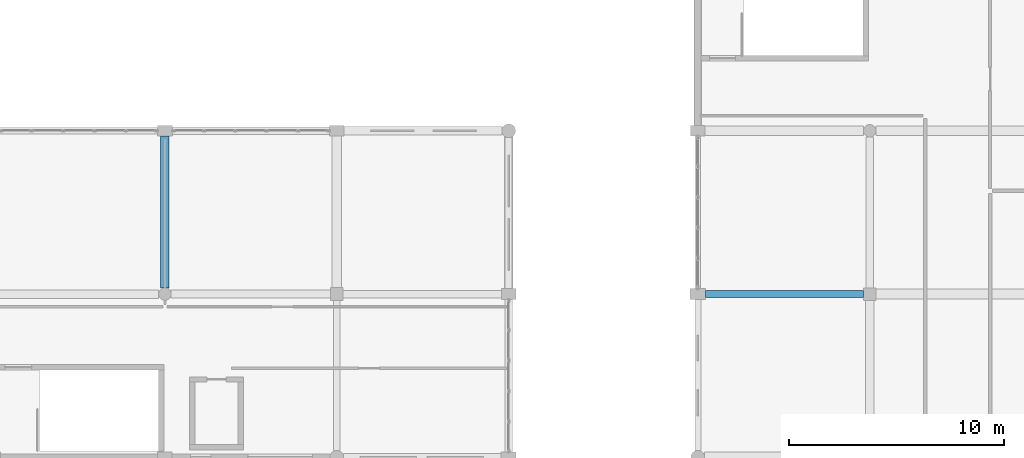
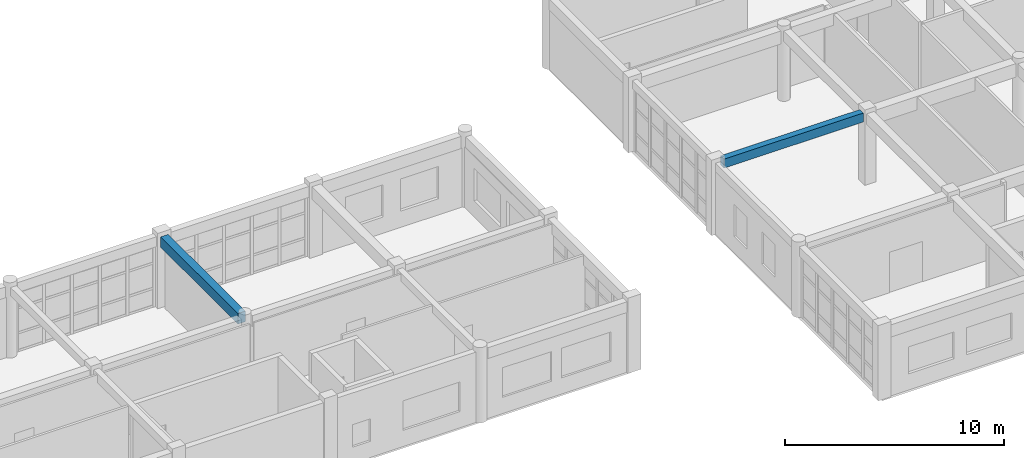
# One storey, part 42 of 121: 2 beams.
"""IFC4 building model written with IfcOpenShell, lengths in metres."""

from ifc_helpers import new_model, si_unit, direction, frame, origin, origin_2d, place, context, subcontext, project, spatial, rectangle, extrude, material, material_profile, profile_set, type_object, element, save


model = new_model("IFC4")

# Units and contexts
model_context = context("Model", 3, precision=1e-05, world=origin(), true_north=direction((0.0, 1.0)))
body_context = subcontext(model_context, "Body", "Model", "MODEL_VIEW")
ifc_project = project(units=[si_unit("LENGTHUNIT", "METRE"), si_unit("AREAUNIT", "SQUARE_METRE"), si_unit("VOLUMEUNIT", "CUBIC_METRE"), si_unit("PLANEANGLEUNIT", "RADIAN"), si_unit("MASSUNIT", "GRAM", prefix="KILO")], contexts=[model_context])

# Site, building, storey
site_placement = place(None, origin())
site = spatial("IfcSite", under=ifc_project, at=site_placement, CompositionType="ELEMENT")
building_placement = place(site_placement, origin())
building = spatial("IfcBuilding", under=site, at=building_placement, Name="Kharva Crest Polytechnic", CompositionType="ELEMENT")
storey_placement = place(building_placement, frame((0.0, 0.0, 13.199951171875)))
storey = spatial("IfcBuildingStorey", under=building, at=storey_placement, Name="L03", CompositionType="ELEMENT", Elevation=13.199951171875)

# Beams
ifc_material = material(Name="Concrete C35/45", Category="concrete")
ifc_material_profile_1 = material_profile(ifc_material, rectangle(XDim=0.320068359375, YDim=0.5, at=origin_2d()), Name="RECT 320 X 500")
ifc_profile_set_1 = profile_set([ifc_material_profile_1], Name="Concrete C35/45")
beam_type_1 = type_object("IfcBeamType", Name="BM-RC-320X500", PredefinedType="BEAM", material=ifc_profile_set_1)
beam_1_placement = place(storey_placement, frame((121.14990234375, 15.199951171875, 3.7099609375), z_axis=(1.0, 0.0, 0.0), x_axis=(0.0, 1.0, 0.0)))
element("IfcBeam", 1, at=beam_1_placement, inside=storey, type_object=beam_type_1, Name="L03 Beam C/16J-17", PredefinedType="BEAM", context=body_context, shape_type="SweptSolid", body=[
    extrude(rectangle(XDim=0.320068359375, YDim=0.5, at=origin_2d()), origin(), (0.0, 0.0, 1.0), 7.360107421875),
])
ifc_material_profile_2 = material_profile(ifc_material, rectangle(XDim=0.39990234375, YDim=0.580078125, at=origin_2d()), Name="RECT 400 X 580")
ifc_profile_set_2 = profile_set([ifc_material_profile_2], Name="Concrete C35/45")
beam_type_2 = type_object("IfcBeamType", Name="BM-RC-400X580", PredefinedType="BEAM", material=ifc_profile_set_2)
beam_2_placement = place(storey_placement, frame((96.0, 15.489990234375, 3.670166015625), z_axis=(0.0, 1.0, 0.0), x_axis=(-1.0, 0.0, 0.0)))
element("IfcBeam", 2, at=beam_2_placement, inside=storey, type_object=beam_type_2, Name="L03 Girder 13/C-D", PredefinedType="BEAM", context=body_context, shape_type="SweptSolid", body=[
    extrude(rectangle(XDim=0.39990234375, YDim=0.580078125, at=origin_2d()), origin(), (0.0, 0.0, 1.0), 7.06005859375),
])

save(model, "model.ifc")
